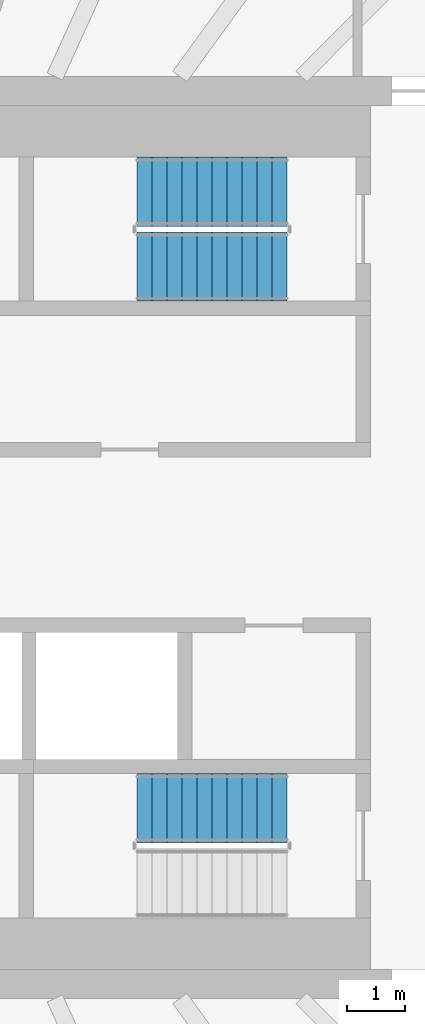
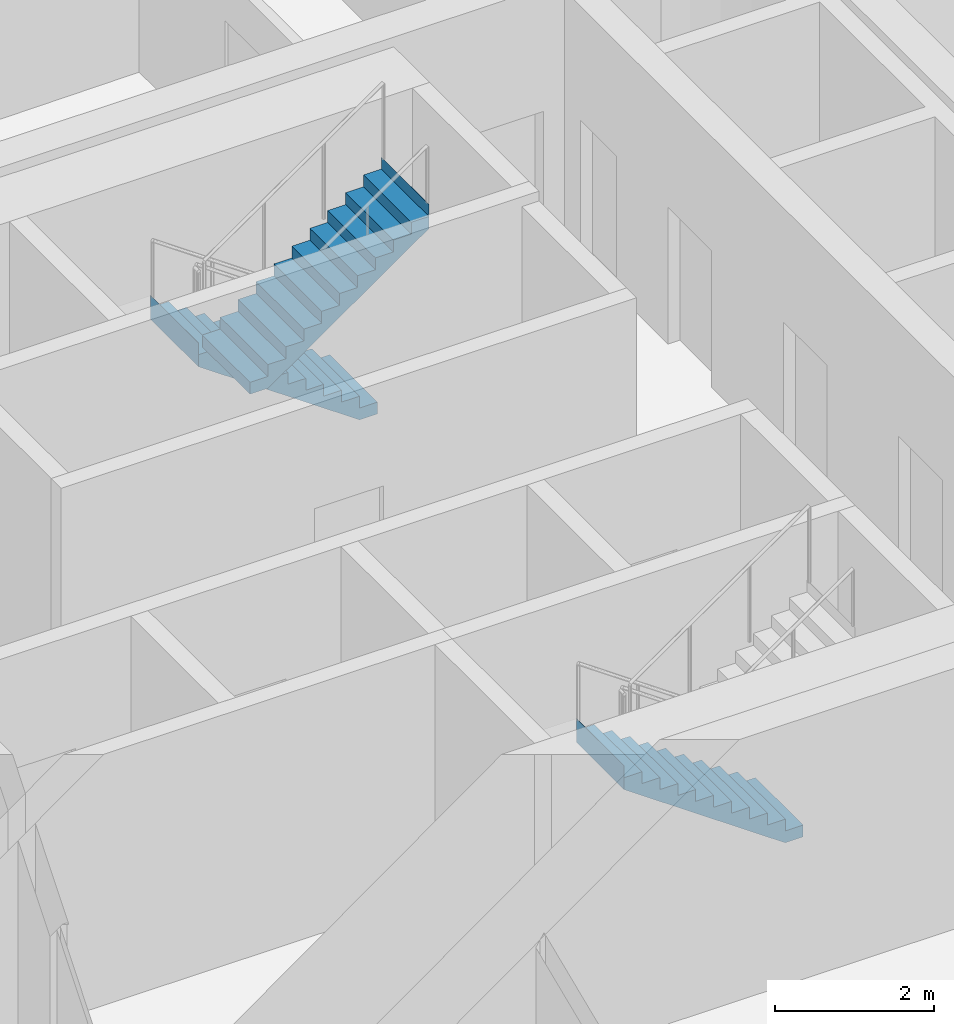
# One storey, part 17 of 23: 3 stair flights, 2 elements without a shape of their own.
"""IFC4 building model written with IfcOpenShell, lengths in metres."""

from ifc_helpers import new_model, si_unit, direction, frame, origin, place, context, subcontext, project, spatial, triangles, material, type_object, element, aggregate, save


model = new_model("IFC4")

# Units and contexts
model_context = context("Model", 3, precision=1e-05, world=origin(), true_north=direction((0.0, 1.0)))
body_context = subcontext(model_context, "Body", "Model", "MODEL_VIEW")
ifc_project = project(units=[si_unit("LENGTHUNIT", "METRE"), si_unit("AREAUNIT", "SQUARE_METRE"), si_unit("VOLUMEUNIT", "CUBIC_METRE"), si_unit("PLANEANGLEUNIT", "RADIAN"), si_unit("MASSUNIT", "GRAM", prefix="KILO")], contexts=[model_context])

# Site, building, storey
site_placement = place(None, origin())
site = spatial("IfcSite", under=ifc_project, at=site_placement, CompositionType="ELEMENT")
building_placement = place(site_placement, origin())
building = spatial("IfcBuilding", under=site, at=building_placement, Name="Sahrelin Media Tower", CompositionType="ELEMENT")
storey_placement = place(building_placement, frame((0.0, 0.0, 185.60009765625)))
storey = spatial("IfcBuildingStorey", under=building, at=storey_placement, Name="L39", CompositionType="ELEMENT", Elevation=185.60009765625)

# Stair, stair flights
ifc_material = material(Name="Concrete C40/50", Category="concrete")
stair_type = type_object("IfcStairType", Name="Exit stair 1200", PredefinedType="HALF_TURN_STAIR", material=ifc_material)
placement = place(storey_placement, origin())
stair_1 = element("IfcStair", 1, at=placement, inside=storey, type_object=stair_type, Name="L39 Exit stair ST3", PredefinedType="HALF_TURN_STAIR")
stair_flight_type = type_object("IfcStairFlightType", Name="Stair flight 1200", PredefinedType="STRAIGHT", material=ifc_material)
stair_flight_1_placement = place(storey_placement, frame((7.675048828125, 6.0, 0.0), z_axis=(0.0, 0.0, 1.0), x_axis=(-1.0, 0.0, 0.0)))
stair_flight_1 = element("IfcStairFlight", 2, at=stair_flight_1_placement, type_object=stair_flight_type, Name="ST3 flight 1", NumberOfRisers=11, NumberOfTreads=10, PredefinedType="STRAIGHT", RiserHeight=0.181818182, TreadLength=0.26, context=body_context, shape_type="Tessellation", body=[
    triangles([(0.261474609375, 0.60009765625, 0.0), (0.261474609375, 0.300048828125, 0.0), (0.261474609375, 0.0, 0.0), (0.261474609375, -0.300048828125, 0.0), (0.261474609375, -0.60009765625, 0.0), (2.60009765625, 0.60009765625, 1.63525390625), (2.60009765625, 0.300048828125, 1.63525390625), (2.60009765625, 0.0, 1.63525390625), (2.60009765625, -0.300048828125, 1.63525390625), (2.60009765625, -0.60009765625, 1.63525390625), (2.60009765625, 0.60009765625, 2.0), (2.60009765625, 0.300048828125, 2.0), (2.60009765625, 0.0, 2.0), (2.60009765625, -0.300048828125, 2.0), (2.60009765625, -0.60009765625, 2.0), (2.597900390625, 0.60009765625, 2.0), (2.597900390625, 0.300048828125, 2.0), (2.597900390625, 0.0, 2.0), (2.597900390625, -0.300048828125, 2.0), (2.597900390625, -0.60009765625, 2.0), (2.597900390625, 0.60009765625, 1.818115234375), (2.597900390625, 0.300048828125, 1.818115234375), (2.597900390625, 0.0, 1.818115234375), (2.597900390625, -0.300048828125, 1.818115234375), (2.597900390625, -0.60009765625, 1.818115234375), (2.340087890625, 0.60009765625, 1.818115234375), (2.340087890625, 0.300048828125, 1.818115234375), (2.340087890625, 0.0, 1.818115234375), (2.340087890625, -0.300048828125, 1.818115234375), (2.340087890625, -0.60009765625, 1.818115234375), (2.340087890625, 0.60009765625, 1.636474609375), (2.340087890625, 0.300048828125, 1.636474609375), (2.340087890625, 0.0, 1.636474609375), (2.340087890625, -0.300048828125, 1.636474609375), (2.340087890625, -0.60009765625, 1.636474609375), (2.080078125, 0.60009765625, 1.636474609375), (2.080078125, 0.300048828125, 1.636474609375), (2.080078125, 0.0, 1.636474609375), (2.080078125, -0.300048828125, 1.636474609375), (2.080078125, -0.60009765625, 1.636474609375), (2.080078125, 0.60009765625, 1.45458984375), (2.080078125, 0.300048828125, 1.45458984375), (2.080078125, 0.0, 1.45458984375), (2.080078125, -0.300048828125, 1.45458984375), (2.080078125, -0.60009765625, 1.45458984375), (1.820068359375, 0.60009765625, 1.45458984375), (1.820068359375, 0.300048828125, 1.45458984375), (1.820068359375, 0.0, 1.45458984375), (1.820068359375, -0.300048828125, 1.45458984375), (1.820068359375, -0.60009765625, 1.45458984375), (1.820068359375, 0.60009765625, 1.272705078125), (1.820068359375, 0.300048828125, 1.272705078125), (1.820068359375, 0.0, 1.272705078125), (1.820068359375, -0.300048828125, 1.272705078125), (1.820068359375, -0.60009765625, 1.272705078125), (1.56005859375, 0.60009765625, 1.272705078125), (1.56005859375, 0.300048828125, 1.272705078125), (1.56005859375, 0.0, 1.272705078125), (1.56005859375, -0.300048828125, 1.272705078125), (1.56005859375, -0.60009765625, 1.272705078125), (1.56005859375, 0.60009765625, 1.0908203125), (1.56005859375, 0.300048828125, 1.0908203125), (1.56005859375, 0.0, 1.0908203125), (1.56005859375, -0.300048828125, 1.0908203125), (1.56005859375, -0.60009765625, 1.0908203125), (1.300048828125, 0.60009765625, 1.0908203125), (1.300048828125, 0.300048828125, 1.0908203125), (1.300048828125, 0.0, 1.0908203125), (1.300048828125, -0.300048828125, 1.0908203125), (1.300048828125, -0.60009765625, 1.0908203125), (1.300048828125, 0.60009765625, 0.9091796875), (1.300048828125, 0.300048828125, 0.9091796875), (1.300048828125, 0.0, 0.9091796875), (1.300048828125, -0.300048828125, 0.9091796875), (1.300048828125, -0.60009765625, 0.9091796875), (1.0400390625, 0.60009765625, 0.9091796875), (1.0400390625, 0.300048828125, 0.9091796875), (1.0400390625, 0.0, 0.9091796875), (1.0400390625, -0.300048828125, 0.9091796875), (1.0400390625, -0.60009765625, 0.9091796875), (1.0400390625, 0.60009765625, 0.727294921875), (1.0400390625, 0.300048828125, 0.727294921875), (1.0400390625, 0.0, 0.727294921875), (1.0400390625, -0.300048828125, 0.727294921875), (1.0400390625, -0.60009765625, 0.727294921875), (0.780029296875, 0.60009765625, 0.727294921875), (0.780029296875, 0.300048828125, 0.727294921875), (0.780029296875, 0.0, 0.727294921875), (0.780029296875, -0.300048828125, 0.727294921875), (0.780029296875, -0.60009765625, 0.727294921875), (0.780029296875, 0.60009765625, 0.54541015625), (0.780029296875, 0.300048828125, 0.54541015625), (0.780029296875, 0.0, 0.54541015625), (0.780029296875, -0.300048828125, 0.54541015625), (0.780029296875, -0.60009765625, 0.54541015625), (0.52001953125, 0.60009765625, 0.54541015625), (0.52001953125, 0.300048828125, 0.54541015625), (0.52001953125, 0.0, 0.54541015625), (0.52001953125, -0.300048828125, 0.54541015625), (0.52001953125, -0.60009765625, 0.54541015625), (0.52001953125, 0.60009765625, 0.363525390625), (0.52001953125, 0.300048828125, 0.363525390625), (0.52001953125, 0.0, 0.363525390625), (0.52001953125, -0.300048828125, 0.363525390625), (0.52001953125, -0.60009765625, 0.363525390625), (0.260009765625, 0.60009765625, 0.363525390625), (0.260009765625, 0.300048828125, 0.363525390625), (0.260009765625, 0.0, 0.363525390625), (0.260009765625, -0.300048828125, 0.363525390625), (0.260009765625, -0.60009765625, 0.363525390625), (0.260009765625, 0.60009765625, 0.181884765625), (0.260009765625, 0.300048828125, 0.181884765625), (0.260009765625, 0.0, 0.181884765625), (0.260009765625, -0.300048828125, 0.181884765625), (0.260009765625, -0.60009765625, 0.181884765625), (0.0, 0.60009765625, 0.181884765625), (0.0, 0.300048828125, 0.181884765625), (0.0, 0.0, 0.181884765625), (0.0, -0.300048828125, 0.181884765625), (0.0, -0.60009765625, 0.181884765625), (0.0, 0.60009765625, 0.0), (0.0, 0.300048828125, 0.0), (0.0, 0.0, 0.0), (0.0, -0.300048828125, 0.0), (0.0, -0.60009765625, 0.0)], [[1, 6, 7], [1, 7, 2], [2, 7, 8], [2, 8, 3], [3, 8, 9], [3, 9, 4], [4, 9, 10], [4, 10, 5], [6, 11, 12], [6, 12, 7], [7, 12, 13], [7, 13, 8], [8, 13, 14], [8, 14, 9], [9, 14, 15], [9, 15, 10], [11, 16, 17], [11, 17, 12], [12, 17, 18], [12, 18, 13], [13, 18, 19], [13, 19, 14], [14, 19, 20], [14, 20, 15], [16, 21, 22], [16, 22, 17], [17, 22, 23], [17, 23, 18], [18, 23, 24], [18, 24, 19], [19, 24, 25], [19, 25, 20], [21, 26, 27], [21, 27, 22], [22, 27, 28], [22, 28, 23], [23, 28, 29], [23, 29, 24], [24, 29, 30], [24, 30, 25], [26, 31, 32], [26, 32, 27], [27, 32, 33], [27, 33, 28], [28, 33, 34], [28, 34, 29], [29, 34, 35], [29, 35, 30], [31, 36, 37], [31, 37, 32], [32, 37, 38], [32, 38, 33], [33, 38, 39], [33, 39, 34], [34, 39, 40], [34, 40, 35], [36, 41, 42], [36, 42, 37], [37, 42, 43], [37, 43, 38], [38, 43, 44], [38, 44, 39], [39, 44, 45], [39, 45, 40], [41, 46, 47], [41, 47, 42], [42, 47, 48], [42, 48, 43], [43, 48, 49], [43, 49, 44], [44, 49, 50], [44, 50, 45], [46, 51, 52], [46, 52, 47], [47, 52, 53], [47, 53, 48], [48, 53, 54], [48, 54, 49], [49, 54, 55], [49, 55, 50], [51, 56, 57], [51, 57, 52], [52, 57, 58], [52, 58, 53], [53, 58, 59], [53, 59, 54], [54, 59, 60], [54, 60, 55], [56, 61, 62], [56, 62, 57], [57, 62, 63], [57, 63, 58], [58, 63, 64], [58, 64, 59], [59, 64, 65], [59, 65, 60], [61, 66, 67], [61, 67, 62], [62, 67, 68], [62, 68, 63], [63, 68, 69], [63, 69, 64], [64, 69, 70], [64, 70, 65], [66, 71, 72], [66, 72, 67], [67, 72, 73], [67, 73, 68], [68, 73, 74], [68, 74, 69], [69, 74, 75], [69, 75, 70], [71, 76, 77], [71, 77, 72], [72, 77, 78], [72, 78, 73], [73, 78, 79], [73, 79, 74], [74, 79, 80], [74, 80, 75], [76, 81, 82], [76, 82, 77], [77, 82, 83], [77, 83, 78], [78, 83, 84], [78, 84, 79], [79, 84, 85], [79, 85, 80], [81, 86, 87], [81, 87, 82], [82, 87, 88], [82, 88, 83], [83, 88, 89], [83, 89, 84], [84, 89, 90], [84, 90, 85], [86, 91, 92], [86, 92, 87], [87, 92, 93], [87, 93, 88], [88, 93, 94], [88, 94, 89], [89, 94, 95], [89, 95, 90], [91, 96, 97], [91, 97, 92], [92, 97, 98], [92, 98, 93], [93, 98, 99], [93, 99, 94], [94, 99, 100], [94, 100, 95], [96, 101, 102], [96, 102, 97], [97, 102, 103], [97, 103, 98], [98, 103, 104], [98, 104, 99], [99, 104, 105], [99, 105, 100], [101, 106, 107], [101, 107, 102], [102, 107, 108], [102, 108, 103], [103, 108, 109], [103, 109, 104], [104, 109, 110], [104, 110, 105], [106, 111, 112], [106, 112, 107], [107, 112, 113], [107, 113, 108], [108, 113, 114], [108, 114, 109], [109, 114, 115], [109, 115, 110], [111, 116, 117], [111, 117, 112], [112, 117, 118], [112, 118, 113], [113, 118, 119], [113, 119, 114], [114, 119, 120], [114, 120, 115], [116, 121, 122], [116, 122, 117], [117, 122, 123], [117, 123, 118], [118, 123, 124], [118, 124, 119], [119, 124, 125], [119, 125, 120], [121, 1, 2], [121, 2, 122], [122, 2, 3], [122, 3, 123], [123, 3, 4], [123, 4, 124], [124, 4, 5], [124, 5, 125], [115, 120, 125], [111, 121, 116], [115, 105, 110], [111, 106, 101], [105, 95, 100], [101, 96, 91], [95, 85, 90], [91, 86, 81], [85, 75, 80], [81, 76, 71], [75, 65, 70], [71, 66, 61], [65, 55, 60], [61, 56, 51], [55, 45, 50], [51, 46, 41], [45, 35, 40], [41, 36, 31], [35, 25, 30], [31, 26, 21], [25, 15, 20], [21, 16, 11], [125, 5, 115], [121, 111, 1], [25, 10, 15], [21, 11, 6], [105, 115, 5], [101, 1, 111], [35, 10, 25], [31, 21, 6], [95, 105, 5], [91, 1, 101], [45, 10, 35], [41, 31, 6], [85, 95, 5], [81, 1, 91], [55, 10, 45], [51, 41, 6], [75, 85, 5], [71, 1, 81], [65, 10, 55], [61, 51, 6], [5, 10, 75], [1, 71, 6], [75, 10, 65], [71, 61, 6]], closed=True),
])
stair_flight_2_placement = place(storey_placement, frame((5.074951171875, 4.699951171875, 2.0), z_axis=(0.0, 0.0, 1.0), x_axis=(1.0, 0.0, 0.0)))
stair_flight_2 = element("IfcStairFlight", 3, at=stair_flight_2_placement, type_object=stair_flight_type, Name="ST3 flight 2", NumberOfRisers=11, NumberOfTreads=10, PredefinedType="STRAIGHT", RiserHeight=0.181818182, TreadLength=0.26, context=body_context, shape_type="Tessellation", body=[
    triangles([(0.261474609375, 0.60009765625, 0.0), (0.261474609375, 0.300048828125, 0.0), (0.261474609375, 0.0, 0.0), (0.261474609375, -0.300048828125, 0.0), (0.261474609375, -0.60009765625, 0.0), (2.60009765625, 0.60009765625, 1.63525390625), (2.60009765625, 0.300048828125, 1.63525390625), (2.60009765625, 0.0, 1.63525390625), (2.60009765625, -0.300048828125, 1.63525390625), (2.60009765625, -0.60009765625, 1.63525390625), (2.60009765625, 0.60009765625, 2.0), (2.60009765625, 0.300048828125, 2.0), (2.60009765625, 0.0, 2.0), (2.60009765625, -0.300048828125, 2.0), (2.60009765625, -0.60009765625, 2.0), (2.597900390625, 0.60009765625, 2.0), (2.597900390625, 0.300048828125, 2.0), (2.597900390625, 0.0, 2.0), (2.597900390625, -0.300048828125, 2.0), (2.597900390625, -0.60009765625, 2.0), (2.597900390625, 0.60009765625, 1.818115234375), (2.597900390625, 0.300048828125, 1.818115234375), (2.597900390625, 0.0, 1.818115234375), (2.597900390625, -0.300048828125, 1.818115234375), (2.597900390625, -0.60009765625, 1.818115234375), (2.340087890625, 0.60009765625, 1.818115234375), (2.340087890625, 0.300048828125, 1.818115234375), (2.340087890625, 0.0, 1.818115234375), (2.340087890625, -0.300048828125, 1.818115234375), (2.340087890625, -0.60009765625, 1.818115234375), (2.340087890625, 0.60009765625, 1.636474609375), (2.340087890625, 0.300048828125, 1.636474609375), (2.340087890625, 0.0, 1.636474609375), (2.340087890625, -0.300048828125, 1.636474609375), (2.340087890625, -0.60009765625, 1.636474609375), (2.080078125, 0.60009765625, 1.636474609375), (2.080078125, 0.300048828125, 1.636474609375), (2.080078125, 0.0, 1.636474609375), (2.080078125, -0.300048828125, 1.636474609375), (2.080078125, -0.60009765625, 1.636474609375), (2.080078125, 0.60009765625, 1.45458984375), (2.080078125, 0.300048828125, 1.45458984375), (2.080078125, 0.0, 1.45458984375), (2.080078125, -0.300048828125, 1.45458984375), (2.080078125, -0.60009765625, 1.45458984375), (1.820068359375, 0.60009765625, 1.45458984375), (1.820068359375, 0.300048828125, 1.45458984375), (1.820068359375, 0.0, 1.45458984375), (1.820068359375, -0.300048828125, 1.45458984375), (1.820068359375, -0.60009765625, 1.45458984375), (1.820068359375, 0.60009765625, 1.272705078125), (1.820068359375, 0.300048828125, 1.272705078125), (1.820068359375, 0.0, 1.272705078125), (1.820068359375, -0.300048828125, 1.272705078125), (1.820068359375, -0.60009765625, 1.272705078125), (1.56005859375, 0.60009765625, 1.272705078125), (1.56005859375, 0.300048828125, 1.272705078125), (1.56005859375, 0.0, 1.272705078125), (1.56005859375, -0.300048828125, 1.272705078125), (1.56005859375, -0.60009765625, 1.272705078125), (1.56005859375, 0.60009765625, 1.0908203125), (1.56005859375, 0.300048828125, 1.0908203125), (1.56005859375, 0.0, 1.0908203125), (1.56005859375, -0.300048828125, 1.0908203125), (1.56005859375, -0.60009765625, 1.0908203125), (1.300048828125, 0.60009765625, 1.0908203125), (1.300048828125, 0.300048828125, 1.0908203125), (1.300048828125, 0.0, 1.0908203125), (1.300048828125, -0.300048828125, 1.0908203125), (1.300048828125, -0.60009765625, 1.0908203125), (1.300048828125, 0.60009765625, 0.9091796875), (1.300048828125, 0.300048828125, 0.9091796875), (1.300048828125, 0.0, 0.9091796875), (1.300048828125, -0.300048828125, 0.9091796875), (1.300048828125, -0.60009765625, 0.9091796875), (1.0400390625, 0.60009765625, 0.9091796875), (1.0400390625, 0.300048828125, 0.9091796875), (1.0400390625, 0.0, 0.9091796875), (1.0400390625, -0.300048828125, 0.9091796875), (1.0400390625, -0.60009765625, 0.9091796875), (1.0400390625, 0.60009765625, 0.727294921875), (1.0400390625, 0.300048828125, 0.727294921875), (1.0400390625, 0.0, 0.727294921875), (1.0400390625, -0.300048828125, 0.727294921875), (1.0400390625, -0.60009765625, 0.727294921875), (0.780029296875, 0.60009765625, 0.727294921875), (0.780029296875, 0.300048828125, 0.727294921875), (0.780029296875, 0.0, 0.727294921875), (0.780029296875, -0.300048828125, 0.727294921875), (0.780029296875, -0.60009765625, 0.727294921875), (0.780029296875, 0.60009765625, 0.54541015625), (0.780029296875, 0.300048828125, 0.54541015625), (0.780029296875, 0.0, 0.54541015625), (0.780029296875, -0.300048828125, 0.54541015625), (0.780029296875, -0.60009765625, 0.54541015625), (0.52001953125, 0.60009765625, 0.54541015625), (0.52001953125, 0.300048828125, 0.54541015625), (0.52001953125, 0.0, 0.54541015625), (0.52001953125, -0.300048828125, 0.54541015625), (0.52001953125, -0.60009765625, 0.54541015625), (0.52001953125, 0.60009765625, 0.363525390625), (0.52001953125, 0.300048828125, 0.363525390625), (0.52001953125, 0.0, 0.363525390625), (0.52001953125, -0.300048828125, 0.363525390625), (0.52001953125, -0.60009765625, 0.363525390625), (0.260009765625, 0.60009765625, 0.363525390625), (0.260009765625, 0.300048828125, 0.363525390625), (0.260009765625, 0.0, 0.363525390625), (0.260009765625, -0.300048828125, 0.363525390625), (0.260009765625, -0.60009765625, 0.363525390625), (0.260009765625, 0.60009765625, 0.181884765625), (0.260009765625, 0.300048828125, 0.181884765625), (0.260009765625, 0.0, 0.181884765625), (0.260009765625, -0.300048828125, 0.181884765625), (0.260009765625, -0.60009765625, 0.181884765625), (0.0, 0.60009765625, 0.181884765625), (0.0, 0.300048828125, 0.181884765625), (0.0, 0.0, 0.181884765625), (0.0, -0.300048828125, 0.181884765625), (0.0, -0.60009765625, 0.181884765625), (0.0, 0.60009765625, 0.0), (0.0, 0.300048828125, 0.0), (0.0, 0.0, 0.0), (0.0, -0.300048828125, 0.0), (0.0, -0.60009765625, 0.0)], [[1, 6, 7], [1, 7, 2], [2, 7, 8], [2, 8, 3], [3, 8, 9], [3, 9, 4], [4, 9, 10], [4, 10, 5], [6, 11, 12], [6, 12, 7], [7, 12, 13], [7, 13, 8], [8, 13, 14], [8, 14, 9], [9, 14, 15], [9, 15, 10], [11, 16, 17], [11, 17, 12], [12, 17, 18], [12, 18, 13], [13, 18, 19], [13, 19, 14], [14, 19, 20], [14, 20, 15], [16, 21, 22], [16, 22, 17], [17, 22, 23], [17, 23, 18], [18, 23, 24], [18, 24, 19], [19, 24, 25], [19, 25, 20], [21, 26, 27], [21, 27, 22], [22, 27, 28], [22, 28, 23], [23, 28, 29], [23, 29, 24], [24, 29, 30], [24, 30, 25], [26, 31, 32], [26, 32, 27], [27, 32, 33], [27, 33, 28], [28, 33, 34], [28, 34, 29], [29, 34, 35], [29, 35, 30], [31, 36, 37], [31, 37, 32], [32, 37, 38], [32, 38, 33], [33, 38, 39], [33, 39, 34], [34, 39, 40], [34, 40, 35], [36, 41, 42], [36, 42, 37], [37, 42, 43], [37, 43, 38], [38, 43, 44], [38, 44, 39], [39, 44, 45], [39, 45, 40], [41, 46, 47], [41, 47, 42], [42, 47, 48], [42, 48, 43], [43, 48, 49], [43, 49, 44], [44, 49, 50], [44, 50, 45], [46, 51, 52], [46, 52, 47], [47, 52, 53], [47, 53, 48], [48, 53, 54], [48, 54, 49], [49, 54, 55], [49, 55, 50], [51, 56, 57], [51, 57, 52], [52, 57, 58], [52, 58, 53], [53, 58, 59], [53, 59, 54], [54, 59, 60], [54, 60, 55], [56, 61, 62], [56, 62, 57], [57, 62, 63], [57, 63, 58], [58, 63, 64], [58, 64, 59], [59, 64, 65], [59, 65, 60], [61, 66, 67], [61, 67, 62], [62, 67, 68], [62, 68, 63], [63, 68, 69], [63, 69, 64], [64, 69, 70], [64, 70, 65], [66, 71, 72], [66, 72, 67], [67, 72, 73], [67, 73, 68], [68, 73, 74], [68, 74, 69], [69, 74, 75], [69, 75, 70], [71, 76, 77], [71, 77, 72], [72, 77, 78], [72, 78, 73], [73, 78, 79], [73, 79, 74], [74, 79, 80], [74, 80, 75], [76, 81, 82], [76, 82, 77], [77, 82, 83], [77, 83, 78], [78, 83, 84], [78, 84, 79], [79, 84, 85], [79, 85, 80], [81, 86, 87], [81, 87, 82], [82, 87, 88], [82, 88, 83], [83, 88, 89], [83, 89, 84], [84, 89, 90], [84, 90, 85], [86, 91, 92], [86, 92, 87], [87, 92, 93], [87, 93, 88], [88, 93, 94], [88, 94, 89], [89, 94, 95], [89, 95, 90], [91, 96, 97], [91, 97, 92], [92, 97, 98], [92, 98, 93], [93, 98, 99], [93, 99, 94], [94, 99, 100], [94, 100, 95], [96, 101, 102], [96, 102, 97], [97, 102, 103], [97, 103, 98], [98, 103, 104], [98, 104, 99], [99, 104, 105], [99, 105, 100], [101, 106, 107], [101, 107, 102], [102, 107, 108], [102, 108, 103], [103, 108, 109], [103, 109, 104], [104, 109, 110], [104, 110, 105], [106, 111, 112], [106, 112, 107], [107, 112, 113], [107, 113, 108], [108, 113, 114], [108, 114, 109], [109, 114, 115], [109, 115, 110], [111, 116, 117], [111, 117, 112], [112, 117, 118], [112, 118, 113], [113, 118, 119], [113, 119, 114], [114, 119, 120], [114, 120, 115], [116, 121, 122], [116, 122, 117], [117, 122, 123], [117, 123, 118], [118, 123, 124], [118, 124, 119], [119, 124, 125], [119, 125, 120], [121, 1, 2], [121, 2, 122], [122, 2, 3], [122, 3, 123], [123, 3, 4], [123, 4, 124], [124, 4, 5], [124, 5, 125], [115, 120, 125], [111, 121, 116], [115, 105, 110], [111, 106, 101], [105, 95, 100], [101, 96, 91], [95, 85, 90], [91, 86, 81], [85, 75, 80], [81, 76, 71], [75, 65, 70], [71, 66, 61], [65, 55, 60], [61, 56, 51], [55, 45, 50], [51, 46, 41], [45, 35, 40], [41, 36, 31], [35, 25, 30], [31, 26, 21], [25, 15, 20], [21, 16, 11], [125, 5, 115], [121, 111, 1], [25, 10, 15], [21, 11, 6], [105, 115, 5], [101, 1, 111], [35, 10, 25], [31, 21, 6], [95, 105, 5], [91, 1, 101], [45, 10, 35], [41, 31, 6], [85, 95, 5], [81, 1, 91], [55, 10, 45], [51, 41, 6], [75, 85, 5], [71, 1, 81], [65, 10, 55], [61, 51, 6], [5, 10, 75], [1, 71, 6], [75, 10, 65], [71, 61, 6]], closed=True),
])
aggregate(stair_1, [stair_flight_1, stair_flight_2])

# Stair, stair flight
stair_2 = element("IfcStair", 4, at=placement, inside=storey, type_object=stair_type, Name="L39 Exit stair ST2", PredefinedType="HALF_TURN_STAIR")
stair_flight_3_placement = place(storey_placement, frame((7.675048828125, -4.699951171875, 0.0), z_axis=(0.0, 0.0, 1.0), x_axis=(-1.0, 0.0, 0.0)))
stair_flight_3 = element("IfcStairFlight", 5, at=stair_flight_3_placement, type_object=stair_flight_type, Name="ST2 flight 1", NumberOfRisers=11, NumberOfTreads=10, PredefinedType="STRAIGHT", RiserHeight=0.181818182, TreadLength=0.26, context=body_context, shape_type="Tessellation", body=[
    triangles([(0.261474609375, 0.60009765625, 0.0), (0.261474609375, 0.300048828125, 0.0), (0.261474609375, 0.0, 0.0), (0.261474609375, -0.300048828125, 0.0), (0.261474609375, -0.60009765625, 0.0), (2.60009765625, 0.60009765625, 1.63525390625), (2.60009765625, 0.300048828125, 1.63525390625), (2.60009765625, 0.0, 1.63525390625), (2.60009765625, -0.300048828125, 1.63525390625), (2.60009765625, -0.60009765625, 1.63525390625), (2.60009765625, 0.60009765625, 2.0), (2.60009765625, 0.300048828125, 2.0), (2.60009765625, 0.0, 2.0), (2.60009765625, -0.300048828125, 2.0), (2.60009765625, -0.60009765625, 2.0), (2.597900390625, 0.60009765625, 2.0), (2.597900390625, 0.300048828125, 2.0), (2.597900390625, 0.0, 2.0), (2.597900390625, -0.300048828125, 2.0), (2.597900390625, -0.60009765625, 2.0), (2.597900390625, 0.60009765625, 1.818115234375), (2.597900390625, 0.300048828125, 1.818115234375), (2.597900390625, 0.0, 1.818115234375), (2.597900390625, -0.300048828125, 1.818115234375), (2.597900390625, -0.60009765625, 1.818115234375), (2.340087890625, 0.60009765625, 1.818115234375), (2.340087890625, 0.300048828125, 1.818115234375), (2.340087890625, 0.0, 1.818115234375), (2.340087890625, -0.300048828125, 1.818115234375), (2.340087890625, -0.60009765625, 1.818115234375), (2.340087890625, 0.60009765625, 1.636474609375), (2.340087890625, 0.300048828125, 1.636474609375), (2.340087890625, 0.0, 1.636474609375), (2.340087890625, -0.300048828125, 1.636474609375), (2.340087890625, -0.60009765625, 1.636474609375), (2.080078125, 0.60009765625, 1.636474609375), (2.080078125, 0.300048828125, 1.636474609375), (2.080078125, 0.0, 1.636474609375), (2.080078125, -0.300048828125, 1.636474609375), (2.080078125, -0.60009765625, 1.636474609375), (2.080078125, 0.60009765625, 1.45458984375), (2.080078125, 0.300048828125, 1.45458984375), (2.080078125, 0.0, 1.45458984375), (2.080078125, -0.300048828125, 1.45458984375), (2.080078125, -0.60009765625, 1.45458984375), (1.820068359375, 0.60009765625, 1.45458984375), (1.820068359375, 0.300048828125, 1.45458984375), (1.820068359375, 0.0, 1.45458984375), (1.820068359375, -0.300048828125, 1.45458984375), (1.820068359375, -0.60009765625, 1.45458984375), (1.820068359375, 0.60009765625, 1.272705078125), (1.820068359375, 0.300048828125, 1.272705078125), (1.820068359375, 0.0, 1.272705078125), (1.820068359375, -0.300048828125, 1.272705078125), (1.820068359375, -0.60009765625, 1.272705078125), (1.56005859375, 0.60009765625, 1.272705078125), (1.56005859375, 0.300048828125, 1.272705078125), (1.56005859375, 0.0, 1.272705078125), (1.56005859375, -0.300048828125, 1.272705078125), (1.56005859375, -0.60009765625, 1.272705078125), (1.56005859375, 0.60009765625, 1.0908203125), (1.56005859375, 0.300048828125, 1.0908203125), (1.56005859375, 0.0, 1.0908203125), (1.56005859375, -0.300048828125, 1.0908203125), (1.56005859375, -0.60009765625, 1.0908203125), (1.300048828125, 0.60009765625, 1.0908203125), (1.300048828125, 0.300048828125, 1.0908203125), (1.300048828125, 0.0, 1.0908203125), (1.300048828125, -0.300048828125, 1.0908203125), (1.300048828125, -0.60009765625, 1.0908203125), (1.300048828125, 0.60009765625, 0.9091796875), (1.300048828125, 0.300048828125, 0.9091796875), (1.300048828125, 0.0, 0.9091796875), (1.300048828125, -0.300048828125, 0.9091796875), (1.300048828125, -0.60009765625, 0.9091796875), (1.0400390625, 0.60009765625, 0.9091796875), (1.0400390625, 0.300048828125, 0.9091796875), (1.0400390625, 0.0, 0.9091796875), (1.0400390625, -0.300048828125, 0.9091796875), (1.0400390625, -0.60009765625, 0.9091796875), (1.0400390625, 0.60009765625, 0.727294921875), (1.0400390625, 0.300048828125, 0.727294921875), (1.0400390625, 0.0, 0.727294921875), (1.0400390625, -0.300048828125, 0.727294921875), (1.0400390625, -0.60009765625, 0.727294921875), (0.780029296875, 0.60009765625, 0.727294921875), (0.780029296875, 0.300048828125, 0.727294921875), (0.780029296875, 0.0, 0.727294921875), (0.780029296875, -0.300048828125, 0.727294921875), (0.780029296875, -0.60009765625, 0.727294921875), (0.780029296875, 0.60009765625, 0.54541015625), (0.780029296875, 0.300048828125, 0.54541015625), (0.780029296875, 0.0, 0.54541015625), (0.780029296875, -0.300048828125, 0.54541015625), (0.780029296875, -0.60009765625, 0.54541015625), (0.52001953125, 0.60009765625, 0.54541015625), (0.52001953125, 0.300048828125, 0.54541015625), (0.52001953125, 0.0, 0.54541015625), (0.52001953125, -0.300048828125, 0.54541015625), (0.52001953125, -0.60009765625, 0.54541015625), (0.52001953125, 0.60009765625, 0.363525390625), (0.52001953125, 0.300048828125, 0.363525390625), (0.52001953125, 0.0, 0.363525390625), (0.52001953125, -0.300048828125, 0.363525390625), (0.52001953125, -0.60009765625, 0.363525390625), (0.260009765625, 0.60009765625, 0.363525390625), (0.260009765625, 0.300048828125, 0.363525390625), (0.260009765625, 0.0, 0.363525390625), (0.260009765625, -0.300048828125, 0.363525390625), (0.260009765625, -0.60009765625, 0.363525390625), (0.260009765625, 0.60009765625, 0.181884765625), (0.260009765625, 0.300048828125, 0.181884765625), (0.260009765625, 0.0, 0.181884765625), (0.260009765625, -0.300048828125, 0.181884765625), (0.260009765625, -0.60009765625, 0.181884765625), (0.0, 0.60009765625, 0.181884765625), (0.0, 0.300048828125, 0.181884765625), (0.0, 0.0, 0.181884765625), (0.0, -0.300048828125, 0.181884765625), (0.0, -0.60009765625, 0.181884765625), (0.0, 0.60009765625, 0.0), (0.0, 0.300048828125, 0.0), (0.0, 0.0, 0.0), (0.0, -0.300048828125, 0.0), (0.0, -0.60009765625, 0.0)], [[1, 6, 7], [1, 7, 2], [2, 7, 8], [2, 8, 3], [3, 8, 9], [3, 9, 4], [4, 9, 10], [4, 10, 5], [6, 11, 12], [6, 12, 7], [7, 12, 13], [7, 13, 8], [8, 13, 14], [8, 14, 9], [9, 14, 15], [9, 15, 10], [11, 16, 17], [11, 17, 12], [12, 17, 18], [12, 18, 13], [13, 18, 19], [13, 19, 14], [14, 19, 20], [14, 20, 15], [16, 21, 22], [16, 22, 17], [17, 22, 23], [17, 23, 18], [18, 23, 24], [18, 24, 19], [19, 24, 25], [19, 25, 20], [21, 26, 27], [21, 27, 22], [22, 27, 28], [22, 28, 23], [23, 28, 29], [23, 29, 24], [24, 29, 30], [24, 30, 25], [26, 31, 32], [26, 32, 27], [27, 32, 33], [27, 33, 28], [28, 33, 34], [28, 34, 29], [29, 34, 35], [29, 35, 30], [31, 36, 37], [31, 37, 32], [32, 37, 38], [32, 38, 33], [33, 38, 39], [33, 39, 34], [34, 39, 40], [34, 40, 35], [36, 41, 42], [36, 42, 37], [37, 42, 43], [37, 43, 38], [38, 43, 44], [38, 44, 39], [39, 44, 45], [39, 45, 40], [41, 46, 47], [41, 47, 42], [42, 47, 48], [42, 48, 43], [43, 48, 49], [43, 49, 44], [44, 49, 50], [44, 50, 45], [46, 51, 52], [46, 52, 47], [47, 52, 53], [47, 53, 48], [48, 53, 54], [48, 54, 49], [49, 54, 55], [49, 55, 50], [51, 56, 57], [51, 57, 52], [52, 57, 58], [52, 58, 53], [53, 58, 59], [53, 59, 54], [54, 59, 60], [54, 60, 55], [56, 61, 62], [56, 62, 57], [57, 62, 63], [57, 63, 58], [58, 63, 64], [58, 64, 59], [59, 64, 65], [59, 65, 60], [61, 66, 67], [61, 67, 62], [62, 67, 68], [62, 68, 63], [63, 68, 69], [63, 69, 64], [64, 69, 70], [64, 70, 65], [66, 71, 72], [66, 72, 67], [67, 72, 73], [67, 73, 68], [68, 73, 74], [68, 74, 69], [69, 74, 75], [69, 75, 70], [71, 76, 77], [71, 77, 72], [72, 77, 78], [72, 78, 73], [73, 78, 79], [73, 79, 74], [74, 79, 80], [74, 80, 75], [76, 81, 82], [76, 82, 77], [77, 82, 83], [77, 83, 78], [78, 83, 84], [78, 84, 79], [79, 84, 85], [79, 85, 80], [81, 86, 87], [81, 87, 82], [82, 87, 88], [82, 88, 83], [83, 88, 89], [83, 89, 84], [84, 89, 90], [84, 90, 85], [86, 91, 92], [86, 92, 87], [87, 92, 93], [87, 93, 88], [88, 93, 94], [88, 94, 89], [89, 94, 95], [89, 95, 90], [91, 96, 97], [91, 97, 92], [92, 97, 98], [92, 98, 93], [93, 98, 99], [93, 99, 94], [94, 99, 100], [94, 100, 95], [96, 101, 102], [96, 102, 97], [97, 102, 103], [97, 103, 98], [98, 103, 104], [98, 104, 99], [99, 104, 105], [99, 105, 100], [101, 106, 107], [101, 107, 102], [102, 107, 108], [102, 108, 103], [103, 108, 109], [103, 109, 104], [104, 109, 110], [104, 110, 105], [106, 111, 112], [106, 112, 107], [107, 112, 113], [107, 113, 108], [108, 113, 114], [108, 114, 109], [109, 114, 115], [109, 115, 110], [111, 116, 117], [111, 117, 112], [112, 117, 118], [112, 118, 113], [113, 118, 119], [113, 119, 114], [114, 119, 120], [114, 120, 115], [116, 121, 122], [116, 122, 117], [117, 122, 123], [117, 123, 118], [118, 123, 124], [118, 124, 119], [119, 124, 125], [119, 125, 120], [121, 1, 2], [121, 2, 122], [122, 2, 3], [122, 3, 123], [123, 3, 4], [123, 4, 124], [124, 4, 5], [124, 5, 125], [115, 120, 125], [111, 121, 116], [115, 105, 110], [111, 106, 101], [105, 95, 100], [101, 96, 91], [95, 85, 90], [91, 86, 81], [85, 75, 80], [81, 76, 71], [75, 65, 70], [71, 66, 61], [65, 55, 60], [61, 56, 51], [55, 45, 50], [51, 46, 41], [45, 35, 40], [41, 36, 31], [35, 25, 30], [31, 26, 21], [25, 15, 20], [21, 16, 11], [125, 5, 115], [121, 111, 1], [25, 10, 15], [21, 11, 6], [105, 115, 5], [101, 1, 111], [35, 10, 25], [31, 21, 6], [95, 105, 5], [91, 1, 101], [45, 10, 35], [41, 31, 6], [85, 95, 5], [81, 1, 91], [55, 10, 45], [51, 41, 6], [75, 85, 5], [71, 1, 81], [65, 10, 55], [61, 51, 6], [5, 10, 75], [1, 71, 6], [75, 10, 65], [71, 61, 6]], closed=True),
])
aggregate(stair_2, [stair_flight_3])

save(model, "model.ifc")
